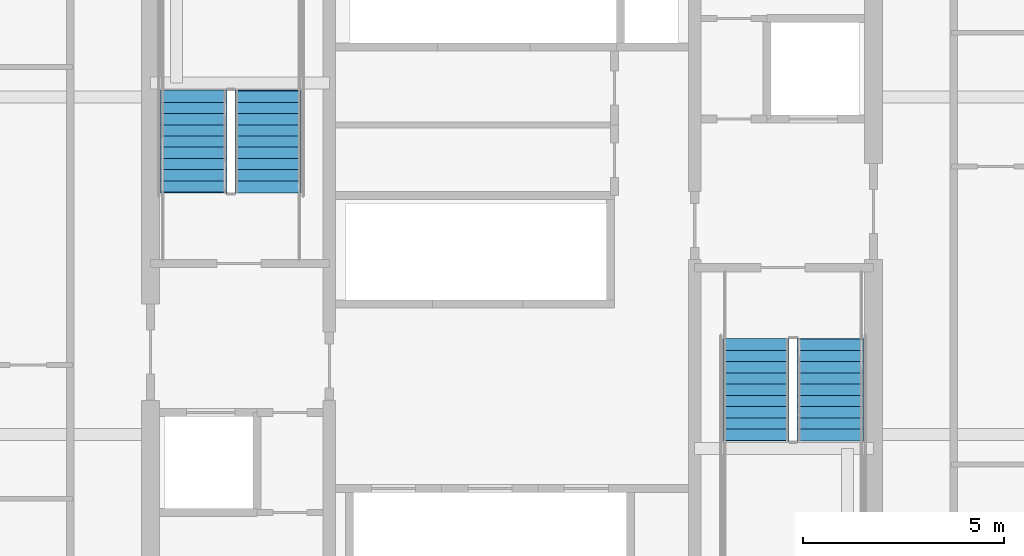
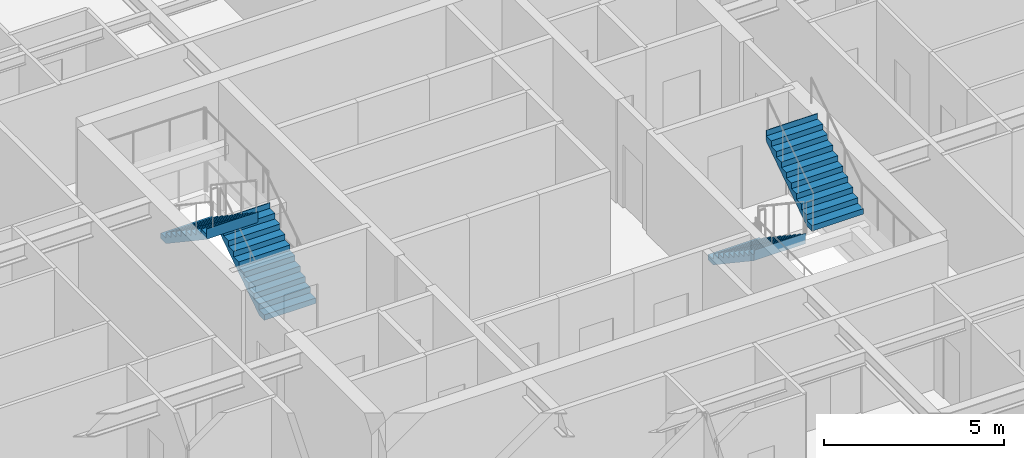
# One storey, part 33 of 39: 4 stair flights, 2 elements without a shape of their own.
"""IFC4 building model written with IfcOpenShell, lengths in metres."""

from ifc_helpers import new_model, si_unit, direction, frame, origin, place, context, subcontext, project, spatial, polygons, material, type_object, element, aggregate, save


model = new_model("IFC4")

# Units and contexts
model_context = context("Model", 3, precision=1e-05, world=origin(), true_north=direction((0.0, 1.0)))
body_context = subcontext(model_context, "Body", "Model", "MODEL_VIEW")
ifc_project = project(units=[si_unit("LENGTHUNIT", "METRE"), si_unit("AREAUNIT", "SQUARE_METRE"), si_unit("VOLUMEUNIT", "CUBIC_METRE"), si_unit("PLANEANGLEUNIT", "RADIAN"), si_unit("MASSUNIT", "GRAM", prefix="KILO")], contexts=[model_context])

# Site, building, storey
site_placement = place(None, origin())
site = spatial("IfcSite", under=ifc_project, at=site_placement, CompositionType="ELEMENT")
building_placement = place(site_placement, origin())
building = spatial("IfcBuilding", under=site, at=building_placement, Name="Serunith Strait Residences", CompositionType="ELEMENT")
storey_placement = place(building_placement, frame((0.0, 0.0, 94.199951171875)))
storey = spatial("IfcBuildingStorey", under=building, at=storey_placement, Name="L23", CompositionType="ELEMENT", Elevation=94.199951171875)

# Stair, stair flights
ifc_material = material(Name="Concrete C50/60", Category="concrete")
stair_type_1 = type_object("IfcStairType", Name="STR-CORE-1", PredefinedType="HALF_TURN_STAIR", material=ifc_material)
stair_1_placement = place(storey_placement, origin())
stair_1 = element("IfcStair", 1, at=stair_1_placement, inside=storey, type_object=stair_type_1, Name="L23 Protected Escape Stair ST-1", PredefinedType="HALF_TURN_STAIR")
stair_flight_type_1 = type_object("IfcStairFlightType", Name="FLT-CORE-1", PredefinedType="STRAIGHT", material=ifc_material)
stair_flight_1_placement = place(storey_placement, frame((26.324951171875, 27.030029296875, 0.0), z_axis=(0.0, 0.0, 1.0), x_axis=(0.0, 1.0, 0.0)))
stair_flight_1 = element("IfcStairFlight", 2, at=stair_flight_1_placement, type_object=stair_flight_type_1, Name="ST-1 flight 1", NumberOfRisers=10, NumberOfTreads=9, PredefinedType="STRAIGHT", RiserHeight=0.1875, TreadLength=0.28, context=body_context, shape_type="Tessellation", body=[
    polygons([(-0.02001953125, -0.824951171875, 0.0), (-0.02001953125, -0.824951171875, 0.1875), (0.280029296875, -0.824951171875, 0.1875), (0.280029296875, -0.824951171875, 0.375), (0.56005859375, -0.824951171875, 0.375), (0.56005859375, -0.824951171875, 0.5625), (0.840087890625, -0.824951171875, 0.5625), (0.840087890625, -0.824951171875, 0.75), (1.1201171875, -0.824951171875, 0.75), (1.1201171875, -0.824951171875, 0.9375), (1.39990234375, -0.824951171875, 0.9375), (1.39990234375, -0.824951171875, 1.125), (1.679931640625, -0.824951171875, 1.125), (1.679931640625, -0.824951171875, 1.3125), (1.9599609375, -0.824951171875, 1.3125), (1.9599609375, -0.824951171875, 1.5), (2.239990234375, -0.824951171875, 1.5), (2.239990234375, -0.824951171875, 1.6875), (2.52001953125, -0.824951171875, 1.6875), (2.52001953125, -0.824951171875, 1.875), (2.5400390625, -0.824951171875, 1.875), (2.5400390625, -0.824951171875, 1.81494140625), (2.52001953125, -0.824951171875, 1.507080078125), (0.26953125, -0.824951171875, 0.0), (-0.02001953125, -0.41259765625, 0.0), (-0.02001953125, -0.41259765625, 0.1875), (0.280029296875, -0.41259765625, 0.1875), (0.280029296875, -0.41259765625, 0.375), (0.56005859375, -0.41259765625, 0.375), (0.56005859375, -0.41259765625, 0.5625), (0.840087890625, -0.41259765625, 0.5625), (0.840087890625, -0.41259765625, 0.75), (1.1201171875, -0.41259765625, 0.75), (1.1201171875, -0.41259765625, 0.9375), (1.39990234375, -0.41259765625, 0.9375), (1.39990234375, -0.41259765625, 1.125), (1.679931640625, -0.41259765625, 1.125), (1.679931640625, -0.41259765625, 1.3125), (1.9599609375, -0.41259765625, 1.3125), (1.9599609375, -0.41259765625, 1.5), (2.239990234375, -0.41259765625, 1.5), (2.239990234375, -0.41259765625, 1.6875), (2.52001953125, -0.41259765625, 1.6875), (2.52001953125, -0.41259765625, 1.875), (2.5400390625, -0.41259765625, 1.875), (2.5400390625, -0.41259765625, 1.81494140625), (2.52001953125, -0.41259765625, 1.507080078125), (0.26953125, -0.41259765625, 0.0), (-0.02001953125, 0.0, 0.0), (-0.02001953125, 0.0, 0.1875), (0.280029296875, 0.0, 0.1875), (0.280029296875, 0.0, 0.375), (0.56005859375, 0.0, 0.375), (0.56005859375, 0.0, 0.5625), (0.840087890625, 0.0, 0.5625), (0.840087890625, 0.0, 0.75), (1.1201171875, 0.0, 0.75), (1.1201171875, 0.0, 0.9375), (1.39990234375, 0.0, 0.9375), (1.39990234375, 0.0, 1.125), (1.679931640625, 0.0, 1.125), (1.679931640625, 0.0, 1.3125), (1.9599609375, 0.0, 1.3125), (1.9599609375, 0.0, 1.5), (2.239990234375, 0.0, 1.5), (2.239990234375, 0.0, 1.6875), (2.52001953125, 0.0, 1.6875), (2.52001953125, 0.0, 1.875), (2.5400390625, 0.0, 1.875), (2.5400390625, 0.0, 1.81494140625), (2.52001953125, 0.0, 1.507080078125), (0.26953125, 0.0, 0.0), (-0.02001953125, 0.41259765625, 0.0), (-0.02001953125, 0.41259765625, 0.1875), (0.280029296875, 0.41259765625, 0.1875), (0.280029296875, 0.41259765625, 0.375), (0.56005859375, 0.41259765625, 0.375), (0.56005859375, 0.41259765625, 0.5625), (0.840087890625, 0.41259765625, 0.5625), (0.840087890625, 0.41259765625, 0.75), (1.1201171875, 0.41259765625, 0.75), (1.1201171875, 0.41259765625, 0.9375), (1.39990234375, 0.41259765625, 0.9375), (1.39990234375, 0.41259765625, 1.125), (1.679931640625, 0.41259765625, 1.125), (1.679931640625, 0.41259765625, 1.3125), (1.9599609375, 0.41259765625, 1.3125), (1.9599609375, 0.41259765625, 1.5), (2.239990234375, 0.41259765625, 1.5), (2.239990234375, 0.41259765625, 1.6875), (2.52001953125, 0.41259765625, 1.6875), (2.52001953125, 0.41259765625, 1.875), (2.5400390625, 0.41259765625, 1.875), (2.5400390625, 0.41259765625, 1.81494140625), (2.52001953125, 0.41259765625, 1.507080078125), (0.26953125, 0.41259765625, 0.0), (-0.02001953125, 0.824951171875, 0.0), (-0.02001953125, 0.824951171875, 0.1875), (0.280029296875, 0.824951171875, 0.1875), (0.280029296875, 0.824951171875, 0.375), (0.56005859375, 0.824951171875, 0.375), (0.56005859375, 0.824951171875, 0.5625), (0.840087890625, 0.824951171875, 0.5625), (0.840087890625, 0.824951171875, 0.75), (1.1201171875, 0.824951171875, 0.75), (1.1201171875, 0.824951171875, 0.9375), (1.39990234375, 0.824951171875, 0.9375), (1.39990234375, 0.824951171875, 1.125), (1.679931640625, 0.824951171875, 1.125), (1.679931640625, 0.824951171875, 1.3125), (1.9599609375, 0.824951171875, 1.3125), (1.9599609375, 0.824951171875, 1.5), (2.239990234375, 0.824951171875, 1.5), (2.239990234375, 0.824951171875, 1.6875), (2.52001953125, 0.824951171875, 1.6875), (2.52001953125, 0.824951171875, 1.875), (2.5400390625, 0.824951171875, 1.875), (2.5400390625, 0.824951171875, 1.81494140625), (2.52001953125, 0.824951171875, 1.507080078125), (0.26953125, 0.824951171875, 0.0)], [[[1, 2, 26, 25]], [[2, 3, 27, 26]], [[3, 4, 28, 27]], [[4, 5, 29, 28]], [[5, 6, 30, 29]], [[6, 7, 31, 30]], [[7, 8, 32, 31]], [[8, 9, 33, 32]], [[9, 10, 34, 33]], [[10, 11, 35, 34]], [[11, 12, 36, 35]], [[12, 13, 37, 36]], [[13, 14, 38, 37]], [[14, 15, 39, 38]], [[15, 16, 40, 39]], [[16, 17, 41, 40]], [[17, 18, 42, 41]], [[18, 19, 43, 42]], [[19, 20, 44, 43]], [[20, 21, 45, 44]], [[21, 22, 46, 45]], [[22, 23, 47, 46]], [[23, 24, 48, 47]], [[24, 1, 25, 48]], [[25, 26, 50, 49]], [[26, 27, 51, 50]], [[27, 28, 52, 51]], [[28, 29, 53, 52]], [[29, 30, 54, 53]], [[30, 31, 55, 54]], [[31, 32, 56, 55]], [[32, 33, 57, 56]], [[33, 34, 58, 57]], [[34, 35, 59, 58]], [[35, 36, 60, 59]], [[36, 37, 61, 60]], [[37, 38, 62, 61]], [[38, 39, 63, 62]], [[39, 40, 64, 63]], [[40, 41, 65, 64]], [[41, 42, 66, 65]], [[42, 43, 67, 66]], [[43, 44, 68, 67]], [[44, 45, 69, 68]], [[45, 46, 70, 69]], [[46, 47, 71, 70]], [[47, 48, 72, 71]], [[48, 25, 49, 72]], [[49, 50, 74, 73]], [[50, 51, 75, 74]], [[51, 52, 76, 75]], [[52, 53, 77, 76]], [[53, 54, 78, 77]], [[54, 55, 79, 78]], [[55, 56, 80, 79]], [[56, 57, 81, 80]], [[57, 58, 82, 81]], [[58, 59, 83, 82]], [[59, 60, 84, 83]], [[60, 61, 85, 84]], [[61, 62, 86, 85]], [[62, 63, 87, 86]], [[63, 64, 88, 87]], [[64, 65, 89, 88]], [[65, 66, 90, 89]], [[66, 67, 91, 90]], [[67, 68, 92, 91]], [[68, 69, 93, 92]], [[69, 70, 94, 93]], [[70, 71, 95, 94]], [[71, 72, 96, 95]], [[72, 49, 73, 96]], [[73, 74, 98, 97]], [[74, 75, 99, 98]], [[75, 76, 100, 99]], [[76, 77, 101, 100]], [[77, 78, 102, 101]], [[78, 79, 103, 102]], [[79, 80, 104, 103]], [[80, 81, 105, 104]], [[81, 82, 106, 105]], [[82, 83, 107, 106]], [[83, 84, 108, 107]], [[84, 85, 109, 108]], [[85, 86, 110, 109]], [[86, 87, 111, 110]], [[87, 88, 112, 111]], [[88, 89, 113, 112]], [[89, 90, 114, 113]], [[90, 91, 115, 114]], [[91, 92, 116, 115]], [[92, 93, 117, 116]], [[93, 94, 118, 117]], [[94, 95, 119, 118]], [[95, 96, 120, 119]], [[96, 73, 97, 120]], [[24, 23, 22, 21, 20, 19, 18, 17, 16, 15, 14, 13, 12, 11, 10, 9, 8, 7, 6, 5, 4, 3, 2, 1]], [[97, 98, 99, 100, 101, 102, 103, 104, 105, 106, 107, 108, 109, 110, 111, 112, 113, 114, 115, 116, 117, 118, 119, 120]]], closed=True),
])
stair_flight_2_placement = place(storey_placement, frame((24.47509765625, 29.550048828125, 1.875), z_axis=(0.0, 0.0, 1.0), x_axis=(0.0, -1.0, 0.0)))
stair_flight_2 = element("IfcStairFlight", 3, at=stair_flight_2_placement, type_object=stair_flight_type_1, Name="ST-1 flight 2", NumberOfRisers=10, NumberOfTreads=9, PredefinedType="STRAIGHT", RiserHeight=0.1875, TreadLength=0.28, context=body_context, shape_type="Tessellation", body=[
    polygons([(-0.02001953125, -0.824951171875, 0.0), (-0.02001953125, -0.824951171875, 0.1875), (0.280029296875, -0.824951171875, 0.1875), (0.280029296875, -0.824951171875, 0.375), (0.56005859375, -0.824951171875, 0.375), (0.56005859375, -0.824951171875, 0.5625), (0.840087890625, -0.824951171875, 0.5625), (0.840087890625, -0.824951171875, 0.75), (1.1201171875, -0.824951171875, 0.75), (1.1201171875, -0.824951171875, 0.9375), (1.39990234375, -0.824951171875, 0.9375), (1.39990234375, -0.824951171875, 1.125), (1.679931640625, -0.824951171875, 1.125), (1.679931640625, -0.824951171875, 1.3125), (1.9599609375, -0.824951171875, 1.3125), (1.9599609375, -0.824951171875, 1.5), (2.239990234375, -0.824951171875, 1.5), (2.239990234375, -0.824951171875, 1.6875), (2.52001953125, -0.824951171875, 1.6875), (2.52001953125, -0.824951171875, 1.875), (2.5400390625, -0.824951171875, 1.875), (2.5400390625, -0.824951171875, 1.81494140625), (2.52001953125, -0.824951171875, 1.507080078125), (0.26953125, -0.824951171875, 0.0), (-0.02001953125, -0.41259765625, 0.0), (-0.02001953125, -0.41259765625, 0.1875), (0.280029296875, -0.41259765625, 0.1875), (0.280029296875, -0.41259765625, 0.375), (0.56005859375, -0.41259765625, 0.375), (0.56005859375, -0.41259765625, 0.5625), (0.840087890625, -0.41259765625, 0.5625), (0.840087890625, -0.41259765625, 0.75), (1.1201171875, -0.41259765625, 0.75), (1.1201171875, -0.41259765625, 0.9375), (1.39990234375, -0.41259765625, 0.9375), (1.39990234375, -0.41259765625, 1.125), (1.679931640625, -0.41259765625, 1.125), (1.679931640625, -0.41259765625, 1.3125), (1.9599609375, -0.41259765625, 1.3125), (1.9599609375, -0.41259765625, 1.5), (2.239990234375, -0.41259765625, 1.5), (2.239990234375, -0.41259765625, 1.6875), (2.52001953125, -0.41259765625, 1.6875), (2.52001953125, -0.41259765625, 1.875), (2.5400390625, -0.41259765625, 1.875), (2.5400390625, -0.41259765625, 1.81494140625), (2.52001953125, -0.41259765625, 1.507080078125), (0.26953125, -0.41259765625, 0.0), (-0.02001953125, 0.0, 0.0), (-0.02001953125, 0.0, 0.1875), (0.280029296875, 0.0, 0.1875), (0.280029296875, 0.0, 0.375), (0.56005859375, 0.0, 0.375), (0.56005859375, 0.0, 0.5625), (0.840087890625, 0.0, 0.5625), (0.840087890625, 0.0, 0.75), (1.1201171875, 0.0, 0.75), (1.1201171875, 0.0, 0.9375), (1.39990234375, 0.0, 0.9375), (1.39990234375, 0.0, 1.125), (1.679931640625, 0.0, 1.125), (1.679931640625, 0.0, 1.3125), (1.9599609375, 0.0, 1.3125), (1.9599609375, 0.0, 1.5), (2.239990234375, 0.0, 1.5), (2.239990234375, 0.0, 1.6875), (2.52001953125, 0.0, 1.6875), (2.52001953125, 0.0, 1.875), (2.5400390625, 0.0, 1.875), (2.5400390625, 0.0, 1.81494140625), (2.52001953125, 0.0, 1.507080078125), (0.26953125, 0.0, 0.0), (-0.02001953125, 0.41259765625, 0.0), (-0.02001953125, 0.41259765625, 0.1875), (0.280029296875, 0.41259765625, 0.1875), (0.280029296875, 0.41259765625, 0.375), (0.56005859375, 0.41259765625, 0.375), (0.56005859375, 0.41259765625, 0.5625), (0.840087890625, 0.41259765625, 0.5625), (0.840087890625, 0.41259765625, 0.75), (1.1201171875, 0.41259765625, 0.75), (1.1201171875, 0.41259765625, 0.9375), (1.39990234375, 0.41259765625, 0.9375), (1.39990234375, 0.41259765625, 1.125), (1.679931640625, 0.41259765625, 1.125), (1.679931640625, 0.41259765625, 1.3125), (1.9599609375, 0.41259765625, 1.3125), (1.9599609375, 0.41259765625, 1.5), (2.239990234375, 0.41259765625, 1.5), (2.239990234375, 0.41259765625, 1.6875), (2.52001953125, 0.41259765625, 1.6875), (2.52001953125, 0.41259765625, 1.875), (2.5400390625, 0.41259765625, 1.875), (2.5400390625, 0.41259765625, 1.81494140625), (2.52001953125, 0.41259765625, 1.507080078125), (0.26953125, 0.41259765625, 0.0), (-0.02001953125, 0.824951171875, 0.0), (-0.02001953125, 0.824951171875, 0.1875), (0.280029296875, 0.824951171875, 0.1875), (0.280029296875, 0.824951171875, 0.375), (0.56005859375, 0.824951171875, 0.375), (0.56005859375, 0.824951171875, 0.5625), (0.840087890625, 0.824951171875, 0.5625), (0.840087890625, 0.824951171875, 0.75), (1.1201171875, 0.824951171875, 0.75), (1.1201171875, 0.824951171875, 0.9375), (1.39990234375, 0.824951171875, 0.9375), (1.39990234375, 0.824951171875, 1.125), (1.679931640625, 0.824951171875, 1.125), (1.679931640625, 0.824951171875, 1.3125), (1.9599609375, 0.824951171875, 1.3125), (1.9599609375, 0.824951171875, 1.5), (2.239990234375, 0.824951171875, 1.5), (2.239990234375, 0.824951171875, 1.6875), (2.52001953125, 0.824951171875, 1.6875), (2.52001953125, 0.824951171875, 1.875), (2.5400390625, 0.824951171875, 1.875), (2.5400390625, 0.824951171875, 1.81494140625), (2.52001953125, 0.824951171875, 1.507080078125), (0.26953125, 0.824951171875, 0.0)], [[[1, 2, 26, 25]], [[2, 3, 27, 26]], [[3, 4, 28, 27]], [[4, 5, 29, 28]], [[5, 6, 30, 29]], [[6, 7, 31, 30]], [[7, 8, 32, 31]], [[8, 9, 33, 32]], [[9, 10, 34, 33]], [[10, 11, 35, 34]], [[11, 12, 36, 35]], [[12, 13, 37, 36]], [[13, 14, 38, 37]], [[14, 15, 39, 38]], [[15, 16, 40, 39]], [[16, 17, 41, 40]], [[17, 18, 42, 41]], [[18, 19, 43, 42]], [[19, 20, 44, 43]], [[20, 21, 45, 44]], [[21, 22, 46, 45]], [[22, 23, 47, 46]], [[23, 24, 48, 47]], [[24, 1, 25, 48]], [[25, 26, 50, 49]], [[26, 27, 51, 50]], [[27, 28, 52, 51]], [[28, 29, 53, 52]], [[29, 30, 54, 53]], [[30, 31, 55, 54]], [[31, 32, 56, 55]], [[32, 33, 57, 56]], [[33, 34, 58, 57]], [[34, 35, 59, 58]], [[35, 36, 60, 59]], [[36, 37, 61, 60]], [[37, 38, 62, 61]], [[38, 39, 63, 62]], [[39, 40, 64, 63]], [[40, 41, 65, 64]], [[41, 42, 66, 65]], [[42, 43, 67, 66]], [[43, 44, 68, 67]], [[44, 45, 69, 68]], [[45, 46, 70, 69]], [[46, 47, 71, 70]], [[47, 48, 72, 71]], [[48, 25, 49, 72]], [[49, 50, 74, 73]], [[50, 51, 75, 74]], [[51, 52, 76, 75]], [[52, 53, 77, 76]], [[53, 54, 78, 77]], [[54, 55, 79, 78]], [[55, 56, 80, 79]], [[56, 57, 81, 80]], [[57, 58, 82, 81]], [[58, 59, 83, 82]], [[59, 60, 84, 83]], [[60, 61, 85, 84]], [[61, 62, 86, 85]], [[62, 63, 87, 86]], [[63, 64, 88, 87]], [[64, 65, 89, 88]], [[65, 66, 90, 89]], [[66, 67, 91, 90]], [[67, 68, 92, 91]], [[68, 69, 93, 92]], [[69, 70, 94, 93]], [[70, 71, 95, 94]], [[71, 72, 96, 95]], [[72, 49, 73, 96]], [[73, 74, 98, 97]], [[74, 75, 99, 98]], [[75, 76, 100, 99]], [[76, 77, 101, 100]], [[77, 78, 102, 101]], [[78, 79, 103, 102]], [[79, 80, 104, 103]], [[80, 81, 105, 104]], [[81, 82, 106, 105]], [[82, 83, 107, 106]], [[83, 84, 108, 107]], [[84, 85, 109, 108]], [[85, 86, 110, 109]], [[86, 87, 111, 110]], [[87, 88, 112, 111]], [[88, 89, 113, 112]], [[89, 90, 114, 113]], [[90, 91, 115, 114]], [[91, 92, 116, 115]], [[92, 93, 117, 116]], [[93, 94, 118, 117]], [[94, 95, 119, 118]], [[95, 96, 120, 119]], [[96, 73, 97, 120]], [[24, 23, 22, 21, 20, 19, 18, 17, 16, 15, 14, 13, 12, 11, 10, 9, 8, 7, 6, 5, 4, 3, 2, 1]], [[97, 98, 99, 100, 101, 102, 103, 104, 105, 106, 107, 108, 109, 110, 111, 112, 113, 114, 115, 116, 117, 118, 119, 120]]], closed=True),
])
aggregate(stair_1, [stair_flight_1, stair_flight_2])

stair_type_2 = type_object("IfcStairType", Name="STR-CORE-2", PredefinedType="HALF_TURN_STAIR", material=ifc_material)
stair_2_placement = place(storey_placement, origin())
stair_2 = element("IfcStair", 4, at=stair_2_placement, inside=storey, type_object=stair_type_2, Name="L23 Protected Escape Stair ST-2", PredefinedType="HALF_TURN_STAIR")
stair_flight_type_2 = type_object("IfcStairFlightType", Name="FLT-CORE-2", PredefinedType="STRAIGHT", material=ifc_material)
stair_flight_3_placement = place(storey_placement, frame((38.47509765625, 23.3701171875, 0.0), z_axis=(0.0, 0.0, 1.0), x_axis=(0.0, -1.0, 0.0)))
stair_flight_3 = element("IfcStairFlight", 5, at=stair_flight_3_placement, type_object=stair_flight_type_2, Name="ST-2 flight 1", NumberOfRisers=10, NumberOfTreads=9, PredefinedType="STRAIGHT", RiserHeight=0.1875, TreadLength=0.28, context=body_context, shape_type="Tessellation", body=[
    polygons([(-0.02001953125, -0.824951171875, 0.0), (-0.02001953125, -0.824951171875, 0.1875), (0.280029296875, -0.824951171875, 0.1875), (0.280029296875, -0.824951171875, 0.375), (0.56005859375, -0.824951171875, 0.375), (0.56005859375, -0.824951171875, 0.5625), (0.840087890625, -0.824951171875, 0.5625), (0.840087890625, -0.824951171875, 0.75), (1.1201171875, -0.824951171875, 0.75), (1.1201171875, -0.824951171875, 0.9375), (1.39990234375, -0.824951171875, 0.9375), (1.39990234375, -0.824951171875, 1.125), (1.679931640625, -0.824951171875, 1.125), (1.679931640625, -0.824951171875, 1.3125), (1.9599609375, -0.824951171875, 1.3125), (1.9599609375, -0.824951171875, 1.5), (2.239990234375, -0.824951171875, 1.5), (2.239990234375, -0.824951171875, 1.6875), (2.52001953125, -0.824951171875, 1.6875), (2.52001953125, -0.824951171875, 1.875), (2.5400390625, -0.824951171875, 1.875), (2.5400390625, -0.824951171875, 1.81494140625), (2.52001953125, -0.824951171875, 1.507080078125), (0.26953125, -0.824951171875, 0.0), (-0.02001953125, -0.41259765625, 0.0), (-0.02001953125, -0.41259765625, 0.1875), (0.280029296875, -0.41259765625, 0.1875), (0.280029296875, -0.41259765625, 0.375), (0.56005859375, -0.41259765625, 0.375), (0.56005859375, -0.41259765625, 0.5625), (0.840087890625, -0.41259765625, 0.5625), (0.840087890625, -0.41259765625, 0.75), (1.1201171875, -0.41259765625, 0.75), (1.1201171875, -0.41259765625, 0.9375), (1.39990234375, -0.41259765625, 0.9375), (1.39990234375, -0.41259765625, 1.125), (1.679931640625, -0.41259765625, 1.125), (1.679931640625, -0.41259765625, 1.3125), (1.9599609375, -0.41259765625, 1.3125), (1.9599609375, -0.41259765625, 1.5), (2.239990234375, -0.41259765625, 1.5), (2.239990234375, -0.41259765625, 1.6875), (2.52001953125, -0.41259765625, 1.6875), (2.52001953125, -0.41259765625, 1.875), (2.5400390625, -0.41259765625, 1.875), (2.5400390625, -0.41259765625, 1.81494140625), (2.52001953125, -0.41259765625, 1.507080078125), (0.26953125, -0.41259765625, 0.0), (-0.02001953125, 0.0, 0.0), (-0.02001953125, 0.0, 0.1875), (0.280029296875, 0.0, 0.1875), (0.280029296875, 0.0, 0.375), (0.56005859375, 0.0, 0.375), (0.56005859375, 0.0, 0.5625), (0.840087890625, 0.0, 0.5625), (0.840087890625, 0.0, 0.75), (1.1201171875, 0.0, 0.75), (1.1201171875, 0.0, 0.9375), (1.39990234375, 0.0, 0.9375), (1.39990234375, 0.0, 1.125), (1.679931640625, 0.0, 1.125), (1.679931640625, 0.0, 1.3125), (1.9599609375, 0.0, 1.3125), (1.9599609375, 0.0, 1.5), (2.239990234375, 0.0, 1.5), (2.239990234375, 0.0, 1.6875), (2.52001953125, 0.0, 1.6875), (2.52001953125, 0.0, 1.875), (2.5400390625, 0.0, 1.875), (2.5400390625, 0.0, 1.81494140625), (2.52001953125, 0.0, 1.507080078125), (0.26953125, 0.0, 0.0), (-0.02001953125, 0.41259765625, 0.0), (-0.02001953125, 0.41259765625, 0.1875), (0.280029296875, 0.41259765625, 0.1875), (0.280029296875, 0.41259765625, 0.375), (0.56005859375, 0.41259765625, 0.375), (0.56005859375, 0.41259765625, 0.5625), (0.840087890625, 0.41259765625, 0.5625), (0.840087890625, 0.41259765625, 0.75), (1.1201171875, 0.41259765625, 0.75), (1.1201171875, 0.41259765625, 0.9375), (1.39990234375, 0.41259765625, 0.9375), (1.39990234375, 0.41259765625, 1.125), (1.679931640625, 0.41259765625, 1.125), (1.679931640625, 0.41259765625, 1.3125), (1.9599609375, 0.41259765625, 1.3125), (1.9599609375, 0.41259765625, 1.5), (2.239990234375, 0.41259765625, 1.5), (2.239990234375, 0.41259765625, 1.6875), (2.52001953125, 0.41259765625, 1.6875), (2.52001953125, 0.41259765625, 1.875), (2.5400390625, 0.41259765625, 1.875), (2.5400390625, 0.41259765625, 1.81494140625), (2.52001953125, 0.41259765625, 1.507080078125), (0.26953125, 0.41259765625, 0.0), (-0.02001953125, 0.824951171875, 0.0), (-0.02001953125, 0.824951171875, 0.1875), (0.280029296875, 0.824951171875, 0.1875), (0.280029296875, 0.824951171875, 0.375), (0.56005859375, 0.824951171875, 0.375), (0.56005859375, 0.824951171875, 0.5625), (0.840087890625, 0.824951171875, 0.5625), (0.840087890625, 0.824951171875, 0.75), (1.1201171875, 0.824951171875, 0.75), (1.1201171875, 0.824951171875, 0.9375), (1.39990234375, 0.824951171875, 0.9375), (1.39990234375, 0.824951171875, 1.125), (1.679931640625, 0.824951171875, 1.125), (1.679931640625, 0.824951171875, 1.3125), (1.9599609375, 0.824951171875, 1.3125), (1.9599609375, 0.824951171875, 1.5), (2.239990234375, 0.824951171875, 1.5), (2.239990234375, 0.824951171875, 1.6875), (2.52001953125, 0.824951171875, 1.6875), (2.52001953125, 0.824951171875, 1.875), (2.5400390625, 0.824951171875, 1.875), (2.5400390625, 0.824951171875, 1.81494140625), (2.52001953125, 0.824951171875, 1.507080078125), (0.26953125, 0.824951171875, 0.0)], [[[1, 2, 26, 25]], [[2, 3, 27, 26]], [[3, 4, 28, 27]], [[4, 5, 29, 28]], [[5, 6, 30, 29]], [[6, 7, 31, 30]], [[7, 8, 32, 31]], [[8, 9, 33, 32]], [[9, 10, 34, 33]], [[10, 11, 35, 34]], [[11, 12, 36, 35]], [[12, 13, 37, 36]], [[13, 14, 38, 37]], [[14, 15, 39, 38]], [[15, 16, 40, 39]], [[16, 17, 41, 40]], [[17, 18, 42, 41]], [[18, 19, 43, 42]], [[19, 20, 44, 43]], [[20, 21, 45, 44]], [[21, 22, 46, 45]], [[22, 23, 47, 46]], [[23, 24, 48, 47]], [[24, 1, 25, 48]], [[25, 26, 50, 49]], [[26, 27, 51, 50]], [[27, 28, 52, 51]], [[28, 29, 53, 52]], [[29, 30, 54, 53]], [[30, 31, 55, 54]], [[31, 32, 56, 55]], [[32, 33, 57, 56]], [[33, 34, 58, 57]], [[34, 35, 59, 58]], [[35, 36, 60, 59]], [[36, 37, 61, 60]], [[37, 38, 62, 61]], [[38, 39, 63, 62]], [[39, 40, 64, 63]], [[40, 41, 65, 64]], [[41, 42, 66, 65]], [[42, 43, 67, 66]], [[43, 44, 68, 67]], [[44, 45, 69, 68]], [[45, 46, 70, 69]], [[46, 47, 71, 70]], [[47, 48, 72, 71]], [[48, 25, 49, 72]], [[49, 50, 74, 73]], [[50, 51, 75, 74]], [[51, 52, 76, 75]], [[52, 53, 77, 76]], [[53, 54, 78, 77]], [[54, 55, 79, 78]], [[55, 56, 80, 79]], [[56, 57, 81, 80]], [[57, 58, 82, 81]], [[58, 59, 83, 82]], [[59, 60, 84, 83]], [[60, 61, 85, 84]], [[61, 62, 86, 85]], [[62, 63, 87, 86]], [[63, 64, 88, 87]], [[64, 65, 89, 88]], [[65, 66, 90, 89]], [[66, 67, 91, 90]], [[67, 68, 92, 91]], [[68, 69, 93, 92]], [[69, 70, 94, 93]], [[70, 71, 95, 94]], [[71, 72, 96, 95]], [[72, 49, 73, 96]], [[73, 74, 98, 97]], [[74, 75, 99, 98]], [[75, 76, 100, 99]], [[76, 77, 101, 100]], [[77, 78, 102, 101]], [[78, 79, 103, 102]], [[79, 80, 104, 103]], [[80, 81, 105, 104]], [[81, 82, 106, 105]], [[82, 83, 107, 106]], [[83, 84, 108, 107]], [[84, 85, 109, 108]], [[85, 86, 110, 109]], [[86, 87, 111, 110]], [[87, 88, 112, 111]], [[88, 89, 113, 112]], [[89, 90, 114, 113]], [[90, 91, 115, 114]], [[91, 92, 116, 115]], [[92, 93, 117, 116]], [[93, 94, 118, 117]], [[94, 95, 119, 118]], [[95, 96, 120, 119]], [[96, 73, 97, 120]], [[24, 23, 22, 21, 20, 19, 18, 17, 16, 15, 14, 13, 12, 11, 10, 9, 8, 7, 6, 5, 4, 3, 2, 1]], [[97, 98, 99, 100, 101, 102, 103, 104, 105, 106, 107, 108, 109, 110, 111, 112, 113, 114, 115, 116, 117, 118, 119, 120]]], closed=True),
])
stair_flight_4_placement = place(storey_placement, frame((40.324951171875, 20.85009765625, 1.875), z_axis=(0.0, 0.0, 1.0), x_axis=(0.0, 1.0, 0.0)))
stair_flight_4 = element("IfcStairFlight", 6, at=stair_flight_4_placement, type_object=stair_flight_type_2, Name="ST-2 flight 2", NumberOfRisers=10, NumberOfTreads=9, PredefinedType="STRAIGHT", RiserHeight=0.1875, TreadLength=0.28, context=body_context, shape_type="Tessellation", body=[
    polygons([(-0.02001953125, -0.824951171875, 0.0), (-0.02001953125, -0.824951171875, 0.1875), (0.280029296875, -0.824951171875, 0.1875), (0.280029296875, -0.824951171875, 0.375), (0.56005859375, -0.824951171875, 0.375), (0.56005859375, -0.824951171875, 0.5625), (0.840087890625, -0.824951171875, 0.5625), (0.840087890625, -0.824951171875, 0.75), (1.1201171875, -0.824951171875, 0.75), (1.1201171875, -0.824951171875, 0.9375), (1.39990234375, -0.824951171875, 0.9375), (1.39990234375, -0.824951171875, 1.125), (1.679931640625, -0.824951171875, 1.125), (1.679931640625, -0.824951171875, 1.3125), (1.9599609375, -0.824951171875, 1.3125), (1.9599609375, -0.824951171875, 1.5), (2.239990234375, -0.824951171875, 1.5), (2.239990234375, -0.824951171875, 1.6875), (2.52001953125, -0.824951171875, 1.6875), (2.52001953125, -0.824951171875, 1.875), (2.5400390625, -0.824951171875, 1.875), (2.5400390625, -0.824951171875, 1.81494140625), (2.52001953125, -0.824951171875, 1.507080078125), (0.26953125, -0.824951171875, 0.0), (-0.02001953125, -0.41259765625, 0.0), (-0.02001953125, -0.41259765625, 0.1875), (0.280029296875, -0.41259765625, 0.1875), (0.280029296875, -0.41259765625, 0.375), (0.56005859375, -0.41259765625, 0.375), (0.56005859375, -0.41259765625, 0.5625), (0.840087890625, -0.41259765625, 0.5625), (0.840087890625, -0.41259765625, 0.75), (1.1201171875, -0.41259765625, 0.75), (1.1201171875, -0.41259765625, 0.9375), (1.39990234375, -0.41259765625, 0.9375), (1.39990234375, -0.41259765625, 1.125), (1.679931640625, -0.41259765625, 1.125), (1.679931640625, -0.41259765625, 1.3125), (1.9599609375, -0.41259765625, 1.3125), (1.9599609375, -0.41259765625, 1.5), (2.239990234375, -0.41259765625, 1.5), (2.239990234375, -0.41259765625, 1.6875), (2.52001953125, -0.41259765625, 1.6875), (2.52001953125, -0.41259765625, 1.875), (2.5400390625, -0.41259765625, 1.875), (2.5400390625, -0.41259765625, 1.81494140625), (2.52001953125, -0.41259765625, 1.507080078125), (0.26953125, -0.41259765625, 0.0), (-0.02001953125, 0.0, 0.0), (-0.02001953125, 0.0, 0.1875), (0.280029296875, 0.0, 0.1875), (0.280029296875, 0.0, 0.375), (0.56005859375, 0.0, 0.375), (0.56005859375, 0.0, 0.5625), (0.840087890625, 0.0, 0.5625), (0.840087890625, 0.0, 0.75), (1.1201171875, 0.0, 0.75), (1.1201171875, 0.0, 0.9375), (1.39990234375, 0.0, 0.9375), (1.39990234375, 0.0, 1.125), (1.679931640625, 0.0, 1.125), (1.679931640625, 0.0, 1.3125), (1.9599609375, 0.0, 1.3125), (1.9599609375, 0.0, 1.5), (2.239990234375, 0.0, 1.5), (2.239990234375, 0.0, 1.6875), (2.52001953125, 0.0, 1.6875), (2.52001953125, 0.0, 1.875), (2.5400390625, 0.0, 1.875), (2.5400390625, 0.0, 1.81494140625), (2.52001953125, 0.0, 1.507080078125), (0.26953125, 0.0, 0.0), (-0.02001953125, 0.41259765625, 0.0), (-0.02001953125, 0.41259765625, 0.1875), (0.280029296875, 0.41259765625, 0.1875), (0.280029296875, 0.41259765625, 0.375), (0.56005859375, 0.41259765625, 0.375), (0.56005859375, 0.41259765625, 0.5625), (0.840087890625, 0.41259765625, 0.5625), (0.840087890625, 0.41259765625, 0.75), (1.1201171875, 0.41259765625, 0.75), (1.1201171875, 0.41259765625, 0.9375), (1.39990234375, 0.41259765625, 0.9375), (1.39990234375, 0.41259765625, 1.125), (1.679931640625, 0.41259765625, 1.125), (1.679931640625, 0.41259765625, 1.3125), (1.9599609375, 0.41259765625, 1.3125), (1.9599609375, 0.41259765625, 1.5), (2.239990234375, 0.41259765625, 1.5), (2.239990234375, 0.41259765625, 1.6875), (2.52001953125, 0.41259765625, 1.6875), (2.52001953125, 0.41259765625, 1.875), (2.5400390625, 0.41259765625, 1.875), (2.5400390625, 0.41259765625, 1.81494140625), (2.52001953125, 0.41259765625, 1.507080078125), (0.26953125, 0.41259765625, 0.0), (-0.02001953125, 0.824951171875, 0.0), (-0.02001953125, 0.824951171875, 0.1875), (0.280029296875, 0.824951171875, 0.1875), (0.280029296875, 0.824951171875, 0.375), (0.56005859375, 0.824951171875, 0.375), (0.56005859375, 0.824951171875, 0.5625), (0.840087890625, 0.824951171875, 0.5625), (0.840087890625, 0.824951171875, 0.75), (1.1201171875, 0.824951171875, 0.75), (1.1201171875, 0.824951171875, 0.9375), (1.39990234375, 0.824951171875, 0.9375), (1.39990234375, 0.824951171875, 1.125), (1.679931640625, 0.824951171875, 1.125), (1.679931640625, 0.824951171875, 1.3125), (1.9599609375, 0.824951171875, 1.3125), (1.9599609375, 0.824951171875, 1.5), (2.239990234375, 0.824951171875, 1.5), (2.239990234375, 0.824951171875, 1.6875), (2.52001953125, 0.824951171875, 1.6875), (2.52001953125, 0.824951171875, 1.875), (2.5400390625, 0.824951171875, 1.875), (2.5400390625, 0.824951171875, 1.81494140625), (2.52001953125, 0.824951171875, 1.507080078125), (0.26953125, 0.824951171875, 0.0)], [[[1, 2, 26, 25]], [[2, 3, 27, 26]], [[3, 4, 28, 27]], [[4, 5, 29, 28]], [[5, 6, 30, 29]], [[6, 7, 31, 30]], [[7, 8, 32, 31]], [[8, 9, 33, 32]], [[9, 10, 34, 33]], [[10, 11, 35, 34]], [[11, 12, 36, 35]], [[12, 13, 37, 36]], [[13, 14, 38, 37]], [[14, 15, 39, 38]], [[15, 16, 40, 39]], [[16, 17, 41, 40]], [[17, 18, 42, 41]], [[18, 19, 43, 42]], [[19, 20, 44, 43]], [[20, 21, 45, 44]], [[21, 22, 46, 45]], [[22, 23, 47, 46]], [[23, 24, 48, 47]], [[24, 1, 25, 48]], [[25, 26, 50, 49]], [[26, 27, 51, 50]], [[27, 28, 52, 51]], [[28, 29, 53, 52]], [[29, 30, 54, 53]], [[30, 31, 55, 54]], [[31, 32, 56, 55]], [[32, 33, 57, 56]], [[33, 34, 58, 57]], [[34, 35, 59, 58]], [[35, 36, 60, 59]], [[36, 37, 61, 60]], [[37, 38, 62, 61]], [[38, 39, 63, 62]], [[39, 40, 64, 63]], [[40, 41, 65, 64]], [[41, 42, 66, 65]], [[42, 43, 67, 66]], [[43, 44, 68, 67]], [[44, 45, 69, 68]], [[45, 46, 70, 69]], [[46, 47, 71, 70]], [[47, 48, 72, 71]], [[48, 25, 49, 72]], [[49, 50, 74, 73]], [[50, 51, 75, 74]], [[51, 52, 76, 75]], [[52, 53, 77, 76]], [[53, 54, 78, 77]], [[54, 55, 79, 78]], [[55, 56, 80, 79]], [[56, 57, 81, 80]], [[57, 58, 82, 81]], [[58, 59, 83, 82]], [[59, 60, 84, 83]], [[60, 61, 85, 84]], [[61, 62, 86, 85]], [[62, 63, 87, 86]], [[63, 64, 88, 87]], [[64, 65, 89, 88]], [[65, 66, 90, 89]], [[66, 67, 91, 90]], [[67, 68, 92, 91]], [[68, 69, 93, 92]], [[69, 70, 94, 93]], [[70, 71, 95, 94]], [[71, 72, 96, 95]], [[72, 49, 73, 96]], [[73, 74, 98, 97]], [[74, 75, 99, 98]], [[75, 76, 100, 99]], [[76, 77, 101, 100]], [[77, 78, 102, 101]], [[78, 79, 103, 102]], [[79, 80, 104, 103]], [[80, 81, 105, 104]], [[81, 82, 106, 105]], [[82, 83, 107, 106]], [[83, 84, 108, 107]], [[84, 85, 109, 108]], [[85, 86, 110, 109]], [[86, 87, 111, 110]], [[87, 88, 112, 111]], [[88, 89, 113, 112]], [[89, 90, 114, 113]], [[90, 91, 115, 114]], [[91, 92, 116, 115]], [[92, 93, 117, 116]], [[93, 94, 118, 117]], [[94, 95, 119, 118]], [[95, 96, 120, 119]], [[96, 73, 97, 120]], [[24, 23, 22, 21, 20, 19, 18, 17, 16, 15, 14, 13, 12, 11, 10, 9, 8, 7, 6, 5, 4, 3, 2, 1]], [[97, 98, 99, 100, 101, 102, 103, 104, 105, 106, 107, 108, 109, 110, 111, 112, 113, 114, 115, 116, 117, 118, 119, 120]]], closed=True),
])
aggregate(stair_2, [stair_flight_3, stair_flight_4])

save(model, "model.ifc")
